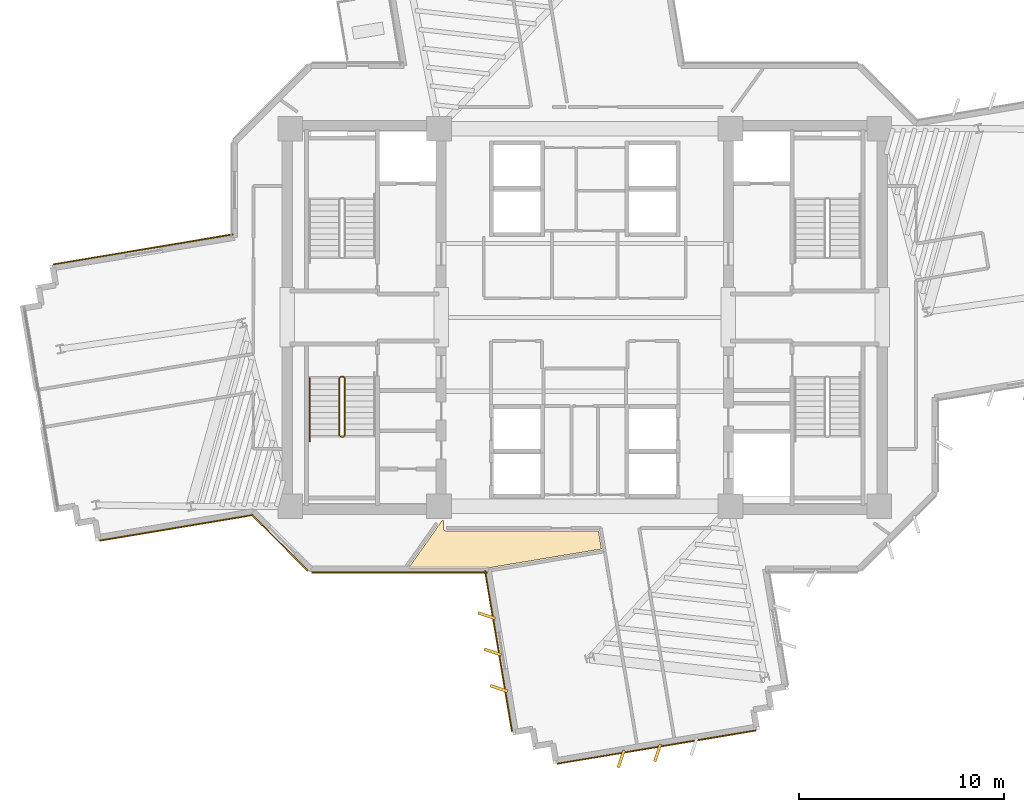
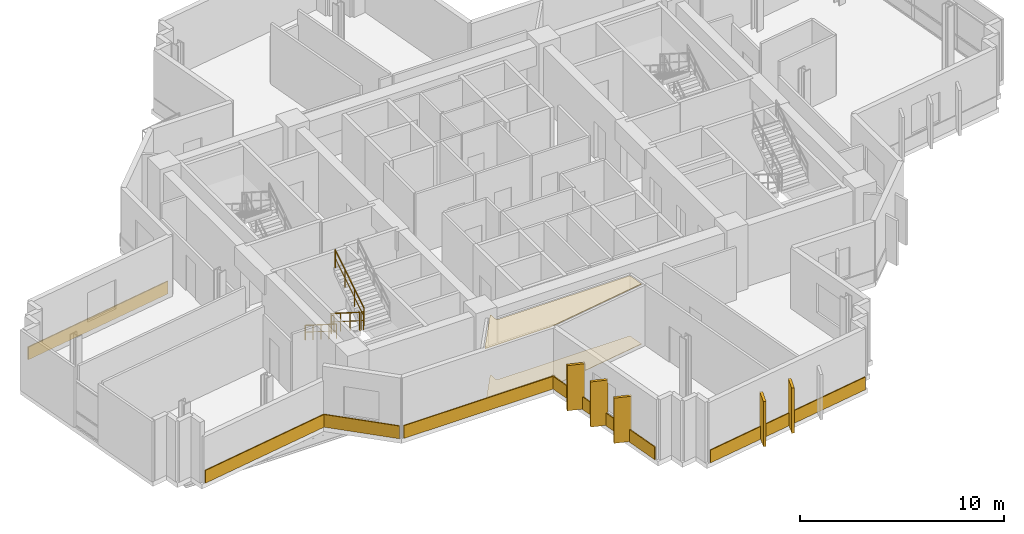
# One storey, part 12 of 15: 13 coverings, 5 railings.
"""IFC4 building model written with IfcOpenShell, lengths in metres."""

from ifc_helpers import new_model, si_unit, direction, frame, origin, origin_2d, place, context, subcontext, project, spatial, polyline, rectangle, outline, extrude, source, transform, mapped, material, layer, layer_set, type_object, element, save


model = new_model("IFC4")

# Units and contexts
model_context = context("Model", 3, precision=1e-05, world=origin(), true_north=direction((0.0, 1.0)))
body_context = subcontext(model_context, "Body", "Model", "MODEL_VIEW")
ifc_project = project(units=[si_unit("LENGTHUNIT", "METRE"), si_unit("AREAUNIT", "SQUARE_METRE"), si_unit("VOLUMEUNIT", "CUBIC_METRE"), si_unit("PLANEANGLEUNIT", "RADIAN"), si_unit("MASSUNIT", "GRAM", prefix="KILO")], contexts=[model_context])

# Site, building, storey
site_placement = place(None, origin())
site = spatial("IfcSite", under=ifc_project, at=site_placement, CompositionType="ELEMENT")
building_placement = place(site_placement, origin())
building = spatial("IfcBuilding", under=site, at=building_placement, Name="Zahravan Cultural Tower", CompositionType="ELEMENT")
storey_placement = place(building_placement, frame((0.0, 0.0, 143.39990234375)))
storey = spatial("IfcBuildingStorey", under=building, at=storey_placement, Name="L32", CompositionType="ELEMENT", Elevation=143.39990234375)

# Coverings
ifc_material_1 = material(Name="Acoustic mineral fibreboard")
ifc_layer_1 = layer(ifc_material_1, 0.0400390625)
ifc_layer_set_1 = layer_set([ifc_layer_1], Name="Acoustic mineral fibreboard")
covering_type_1 = type_object("IfcCoveringType", Name="COV-CEIL-AC20", PredefinedType="CEILING", material=ifc_layer_set_1)
covering_1_placement = place(storey_placement, frame((0.0, 0.0, 3.580078125)))
element("IfcCovering", 1, at=covering_1_placement, inside=storey, type_object=covering_type_1, Name="L32 Acoustic Suspended Ceiling", PredefinedType="CEILING", context=body_context, shape_type="SweptSolid", body=[
    extrude(outline(polyline([(27.39453125, 14.760009765625), (31.079345703125, 14.760009765625), (36.81298828125, 15.719482421875), (36.66552734375, 16.60009765625), (29.22607421875, 16.600341796875), (29.1474609375, 16.637451171875), (29.1103515625, 16.716064453125), (29.110107421875, 17.10009765625), (29.047119140625, 17.10009765625), (27.39453125, 14.760009765625)])), origin(), (0.0, 0.0, 1.0), 0.0400390625),
])
ifc_material_2 = material(Name="Terrazzo flooring")
ifc_layer_2 = layer(ifc_material_2, 0.02490234375)
ifc_layer_set_2 = layer_set([ifc_layer_2], Name="Terrazzo flooring")
covering_type_2 = type_object("IfcCoveringType", Name="COV-FLR-TZ25", PredefinedType="FLOORING", material=ifc_layer_set_2)
covering_2_placement = place(storey_placement, origin())
element("IfcCovering", 2, at=covering_2_placement, inside=storey, type_object=covering_type_2, Name="L32 Polished Terrazzo Flooring", PredefinedType="FLOORING", context=body_context, shape_type="SweptSolid", body=[
    extrude(outline(polyline([(27.39453125, 14.760009765625), (31.079345703125, 14.760009765625), (36.81298828125, 15.719482421875), (36.66552734375, 16.60009765625), (29.22607421875, 16.600341796875), (29.1474609375, 16.637451171875), (29.1103515625, 16.716064453125), (29.110107421875, 17.10009765625), (29.047119140625, 17.10009765625), (27.39453125, 14.760009765625)])), origin(), (0.0, 0.0, 1.0), 0.025146484375),
])

# Railings
ifc_material_3 = material(Name="Steel ASTM A572 Grade 50", Category="steel")
railing_type_1 = type_object("IfcRailingType", Name="RL-STAIR-GRD1150", PredefinedType="BALUSTRADE", material=ifc_material_3)
railing_1_placement = place(storey_placement, frame((24.050048828125, 24.050048828125, 0.177490234375)))
element("IfcRailing", 3, at=railing_1_placement, inside=storey, type_object=railing_type_1, Name="L32 ST-W2 stair guard 1", PredefinedType="BALUSTRADE", context=body_context, shape_type="SweptSolid", body=[
    extrude(rectangle(XDim=0.05, YDim=0.05, at=origin_2d()), frame((0.0, 0.0, 1.0751953125), z_axis=(0.0, -0.844908973607, 0.534910110503), x_axis=(1.0, 0.0, 0.0)), (0.0, 0.0, 1.0), 3.31396484375),
    extrude(rectangle(XDim=0.032, YDim=0.032, at=origin_2d()), frame((0.0, 0.0, 0.572021484375), z_axis=(0.0, -0.844908973607, 0.534910110503), x_axis=(1.0, 0.0, 0.0)), (0.0, 0.0, 1.0), 3.31396484375),
    extrude(rectangle(XDim=0.04, YDim=0.04, at=origin_2d()), origin(), (0.0, 0.0, 1.0), 1.10009765625),
    extrude(rectangle(XDim=0.04, YDim=0.04, at=origin_2d()), frame((0.0, -0.933349609375, 0.5908203125)), (0.0, 0.0, 1.0), 1.10009765625),
    extrude(rectangle(XDim=0.04, YDim=0.04, at=origin_2d()), frame((0.0, -1.86669921875, 1.181884765625)), (0.0, 0.0, 1.0), 1.10009765625),
    extrude(rectangle(XDim=0.04, YDim=0.04, at=origin_2d()), frame((0.0, -2.800048828125, 1.772705078125)), (0.0, 0.0, 1.0), 1.10009765625),
])
railing_2_placement = place(storey_placement, frame((24.10009765625, 21.199951171875, 1.9501953125)))
element("IfcRailing", 4, at=railing_2_placement, inside=storey, type_object=railing_type_1, Name="L32 ST-W2 stair guard 2", PredefinedType="BALUSTRADE", context=body_context, shape_type="SweptSolid", body=[
    extrude(rectangle(XDim=0.05, YDim=0.05, at=origin_2d()), frame((0.0, 0.0, 1.0751953125), z_axis=(1.0, 0.0, 0.0), x_axis=(0.0, 1.0, 0.0)), (0.0, 0.0, 1.0), 0.14990234375),
    extrude(rectangle(XDim=0.032, YDim=0.032, at=origin_2d()), frame((0.0, 0.0, 0.572021484375), z_axis=(1.0, 0.0, 0.0), x_axis=(0.0, 1.0, 0.0)), (0.0, 0.0, 1.0), 0.14990234375),
    extrude(rectangle(XDim=0.04, YDim=0.04, at=origin_2d()), origin(), (0.0, 0.0, 1.0), 1.10009765625),
    extrude(rectangle(XDim=0.04, YDim=0.04, at=origin_2d()), frame((0.14990234375, 0.0, 0.0)), (0.0, 0.0, 1.0), 1.10009765625),
])
railing_3_placement = place(storey_placement, frame((24.300048828125, 21.25, 2.12744140625)))
element("IfcRailing", 5, at=railing_3_placement, inside=storey, type_object=railing_type_1, Name="L32 ST-W2 stair guard 3", PredefinedType="BALUSTRADE", context=body_context, shape_type="SweptSolid", body=[
    extrude(rectangle(XDim=0.05, YDim=0.05, at=origin_2d()), frame((0.0, 0.0, 1.0751953125), z_axis=(0.0, 0.844908973607, 0.534910110503), x_axis=(-1.0, 0.0, 0.0)), (0.0, 0.0, 1.0), 3.31396484375),
    extrude(rectangle(XDim=0.032, YDim=0.032, at=origin_2d()), frame((0.0, 0.0, 0.572021484375), z_axis=(0.0, 0.844908973607, 0.534910110503), x_axis=(-1.0, 0.0, 0.0)), (0.0, 0.0, 1.0), 3.31396484375),
    extrude(rectangle(XDim=0.04, YDim=0.04, at=origin_2d()), origin(), (0.0, 0.0, 1.0), 1.10009765625),
    extrude(rectangle(XDim=0.04, YDim=0.04, at=origin_2d()), frame((0.0, 0.933349609375, 0.5908203125)), (0.0, 0.0, 1.0), 1.10009765625),
    extrude(rectangle(XDim=0.04, YDim=0.04, at=origin_2d()), frame((0.0, 1.86669921875, 1.181884765625)), (0.0, 0.0, 1.0), 1.10009765625),
    extrude(rectangle(XDim=0.04, YDim=0.04, at=origin_2d()), frame((0.0, 2.800048828125, 1.772705078125)), (0.0, 0.0, 1.0), 1.10009765625),
])
railing_4_placement = place(storey_placement, frame((24.10009765625, 24.10009765625, 0.0)))
element("IfcRailing", 6, at=railing_4_placement, inside=storey, type_object=railing_type_1, Name="L32 ST-W2 stair guard 4", PredefinedType="BALUSTRADE", context=body_context, shape_type="SweptSolid", body=[
    extrude(rectangle(XDim=0.05, YDim=0.05, at=origin_2d()), frame((0.0, 0.0, 1.0751953125), z_axis=(1.0, 0.0, 0.0), x_axis=(0.0, 1.0, 0.0)), (0.0, 0.0, 1.0), 0.14990234375),
    extrude(rectangle(XDim=0.032, YDim=0.032, at=origin_2d()), frame((0.0, 0.0, 0.572021484375), z_axis=(1.0, 0.0, 0.0), x_axis=(0.0, 1.0, 0.0)), (0.0, 0.0, 1.0), 0.14990234375),
    extrude(rectangle(XDim=0.04, YDim=0.04, at=origin_2d()), origin(), (0.0, 0.0, 1.0), 1.10009765625),
    extrude(rectangle(XDim=0.04, YDim=0.04, at=origin_2d()), frame((0.14990234375, 0.0, 0.0)), (0.0, 0.0, 1.0), 1.10009765625),
])
railing_type_2 = type_object("IfcRailingType", Name="RL-STAIR-HR900", PredefinedType="HANDRAIL", material=ifc_material_3)
railing_5_placement = place(storey_placement, frame((22.60009765625, 24.050048828125, 0.177490234375)))
element("IfcRailing", 7, at=railing_5_placement, inside=storey, type_object=railing_type_2, Name="L32 ST-W2 stair handrail 1", PredefinedType="HANDRAIL", context=body_context, shape_type="SweptSolid", body=[
    extrude(rectangle(XDim=0.05, YDim=0.05, at=origin_2d()), frame((0.0, 0.0, 0.875), z_axis=(0.0, -0.844913916606, 0.534902302785), x_axis=(1.0, 0.0, 0.0)), (0.0, 0.0, 1.0), 3.6455078125),
    extrude(rectangle(XDim=0.032, YDim=0.032, at=origin_2d()), frame((0.0, 0.0, 0.468017578125), z_axis=(0.0, -0.844913916606, 0.534902302785), x_axis=(1.0, 0.0, 0.0)), (0.0, 0.0, 1.0), 3.6455078125),
    extrude(rectangle(XDim=0.04, YDim=0.04, at=origin_2d()), origin(), (0.0, 0.0, 1.0), 0.89990234375),
    extrude(rectangle(XDim=0.04, YDim=0.04, at=origin_2d()), frame((0.0, -0.77001953125, 0.487548828125)), (0.0, 0.0, 1.0), 0.89990234375),
    extrude(rectangle(XDim=0.04, YDim=0.04, at=origin_2d()), frame((0.0, -1.5400390625, 0.97509765625)), (0.0, 0.0, 1.0), 0.89990234375),
    extrude(rectangle(XDim=0.04, YDim=0.04, at=origin_2d()), frame((0.0, -2.31005859375, 1.46240234375)), (0.0, 0.0, 1.0), 0.89990234375),
    extrude(rectangle(XDim=0.04, YDim=0.04, at=origin_2d()), frame((0.0, -3.080078125, 1.949951171875)), (0.0, 0.0, 1.0), 0.89990234375),
])

# Coverings
ifc_material_4 = material(Name="Terracotta ceramic cladding", Category="masonry")
ifc_layer_3 = layer(ifc_material_4, 0.06005859375)
ifc_layer_set_3 = layer_set([ifc_layer_3], Name="Terracotta ceramic cladding")
covering_type_3 = type_object("IfcCoveringType", Name="COV-CLAD-TC60", PredefinedType="CLADDING", material=ifc_layer_set_3)
shared_shape_1 = source(origin(), body_context, "Body", "SweptSolid", [
    extrude(rectangle(XDim=9.820068359375, YDim=0.06005859375, at=origin_2d()), origin(), (0.0, 0.0, 1.0), 0.760009765625),
])
covering_3_placement = place(storey_placement, frame((39.503173828125, 6.066162109375, 0.02001953125), z_axis=(0.0, 0.0, 1.0), x_axis=(-0.986285601537, -0.165047605861, 0.0)))
element("IfcCovering", 8, at=covering_3_placement, inside=storey, type_object=covering_type_3, Name="L32 Terracotta Spandrel Cladding 19", PredefinedType="CLADDING", context=body_context, shape_type="MappedRepresentation", body=[
    mapped(shared_shape_1, transform((0.0, 0.0, 0.0), x_axis=(1.0, 0.0, 0.0), y_axis=(0.0, 1.0, 0.0), z_axis=(0.0, 0.0, 1.0), scale=1.0)),
])
shared_shape_2 = source(origin(), body_context, "Body", "SweptSolid", [
    extrude(rectangle(XDim=7.573486328125, YDim=0.06005859375, at=origin_2d()), origin(), (0.0, 0.0, 1.0), 0.760009765625),
])
covering_4_placement = place(storey_placement, frame((16.095703125, 16.749267578125, 0.02001953125), z_axis=(0.0, 0.0, 1.0), x_axis=(-0.986285601537, -0.165047605861, 0.0)))
element("IfcCovering", 9, at=covering_4_placement, inside=storey, type_object=covering_type_3, Name="L32 Terracotta Spandrel Cladding 27", PredefinedType="CLADDING", context=body_context, shape_type="MappedRepresentation", body=[
    mapped(shared_shape_2, transform((0.0, 0.0, 0.0), x_axis=(1.0, 0.0, 0.0), y_axis=(0.0, 1.0, 0.0), z_axis=(0.0, 0.0, 1.0), scale=1.0)),
])
shared_shape_3 = source(origin(), body_context, "Body", "SweptSolid", [
    extrude(rectangle(XDim=0.8798828125, YDim=0.139892578125, at=origin_2d()), origin(), (0.0, 0.0, 1.0), 2.699951171875),
])
for number, where, z_axis, x_axis, name in (
    (10, (39.55029296875, 5.784912109375, 0.05029296875), (0.0, 0.0, 1.0), (-0.317304656405, -0.948323655206, 0.0), "L32 Herringbone Terracotta Fin 14"),
    (11, (37.77490234375, 5.48779296875, 0.05029296875), (0.0, 0.0, 1.0), (-0.317304656405, -0.948323655206, 0.0), "L32 Herringbone Terracotta Fin 15"),
    (12, (31.816162109375, 8.923583984375, 0.05029296875), (0.0, 0.0, 1.0), (-0.948323655206, 0.317304656405, 0.0), "L32 Herringbone Terracotta Fin 16"),
    (13, (31.51904296875, 10.698974609375, 0.05029296875), (0.0, 0.0, 1.0), (-0.948323655206, 0.317304656405, 0.0), "L32 Herringbone Terracotta Fin 17"),
    (14, (31.221923828125, 12.47412109375, 0.05029296875), (0.0, 0.0, 1.0), (-0.948323655206, 0.317304656405, 0.0), "L32 Herringbone Terracotta Fin 18"),
):
    element("IfcCovering", number, at=place(storey_placement, frame(where, z_axis=z_axis, x_axis=x_axis)), inside=storey, type_object=covering_type_3, Name=name, PredefinedType="CLADDING", context=body_context, shape_type="MappedRepresentation", body=[
        mapped(shared_shape_3, transform((0.0, 0.0, 0.0), x_axis=(1.0, 0.0, 0.0), y_axis=(0.0, 1.0, 0.0), z_axis=(0.0, 0.0, 1.0), scale=1.0)),
    ])
shared_shape_4 = source(origin(), body_context, "Body", "SweptSolid", [
    extrude(rectangle(XDim=8.877197265625, YDim=0.06005859375, at=origin_2d()), origin(), (0.0, 0.0, 1.0), 0.760009765625),
])
covering_5_placement = place(storey_placement, frame((14.485595703125, 30.319580078125, 0.02001953125), z_axis=(0.0, 0.0, 1.0), x_axis=(0.986285601537, 0.165047605861, 0.0)))
element("IfcCovering", 15, at=covering_5_placement, inside=storey, type_object=covering_type_3, Name="L32 Terracotta Spandrel Cladding 36", PredefinedType="CLADDING", context=body_context, shape_type="MappedRepresentation", body=[
    mapped(shared_shape_4, transform((0.0, 0.0, 0.0), x_axis=(1.0, 0.0, 0.0), y_axis=(0.0, 1.0, 0.0), z_axis=(0.0, 0.0, 1.0), scale=1.0)),
])
shared_shape_5 = source(origin(), body_context, "Body", "SweptSolid", [
    extrude(rectangle(XDim=7.944091796875, YDim=0.06005859375, at=origin_2d()), origin(), (0.0, 0.0, 1.0), 0.760009765625),
])
covering_6_placement = place(storey_placement, frame((31.800048828125, 10.745849609375, 0.02001953125), z_axis=(0.0, 0.0, 1.0), x_axis=(-0.165047605861, 0.986285601537, 0.0)))
element("IfcCovering", 16, at=covering_6_placement, inside=storey, type_object=covering_type_3, Name="L32 Terracotta Spandrel Cladding 24", PredefinedType="CLADDING", context=body_context, shape_type="MappedRepresentation", body=[
    mapped(shared_shape_5, transform((0.0, 0.0, 0.0), x_axis=(1.0, 0.0, 0.0), y_axis=(0.0, 1.0, 0.0), z_axis=(0.0, 0.0, 1.0), scale=1.0)),
])
shared_shape_6 = source(origin(), body_context, "Body", "SweptSolid", [
    extrude(rectangle(XDim=8.541015625, YDim=0.06005859375, at=origin_2d()), origin(), (0.0, 0.0, 1.0), 0.760009765625),
])
covering_7_placement = place(storey_placement, frame((26.978515625, 14.574951171875, 0.02001953125), z_axis=(0.0, 0.0, 1.0), x_axis=(-1.0, 0.0, 0.0)))
element("IfcCovering", 17, at=covering_7_placement, inside=storey, type_object=covering_type_3, Name="L32 Terracotta Spandrel Cladding 25", PredefinedType="CLADDING", context=body_context, shape_type="MappedRepresentation", body=[
    mapped(shared_shape_6, transform((0.0, 0.0, 0.0), x_axis=(1.0, 0.0, 0.0), y_axis=(0.0, 1.0, 0.0), z_axis=(0.0, 0.0, 1.0), scale=1.0)),
])
shared_shape_7 = source(origin(), body_context, "Body", "SweptSolid", [
    extrude(rectangle(XDim=3.8671875, YDim=0.06005859375, at=origin_2d()), origin(), (0.0, 0.0, 1.0), 0.760009765625),
])
covering_8_placement = place(storey_placement, frame((21.138671875, 16.02587890625, 0.02001953125), z_axis=(0.0, 0.0, 1.0), x_axis=(-0.707106781187, 0.707106781187, 0.0)))
element("IfcCovering", 18, at=covering_8_placement, inside=storey, type_object=covering_type_3, Name="L32 Terracotta Spandrel Cladding 26", PredefinedType="CLADDING", context=body_context, shape_type="MappedRepresentation", body=[
    mapped(shared_shape_7, transform((0.0, 0.0, 0.0), x_axis=(1.0, 0.0, 0.0), y_axis=(0.0, 1.0, 0.0), z_axis=(0.0, 0.0, 1.0), scale=1.0)),
])

save(model, "model.ifc")
